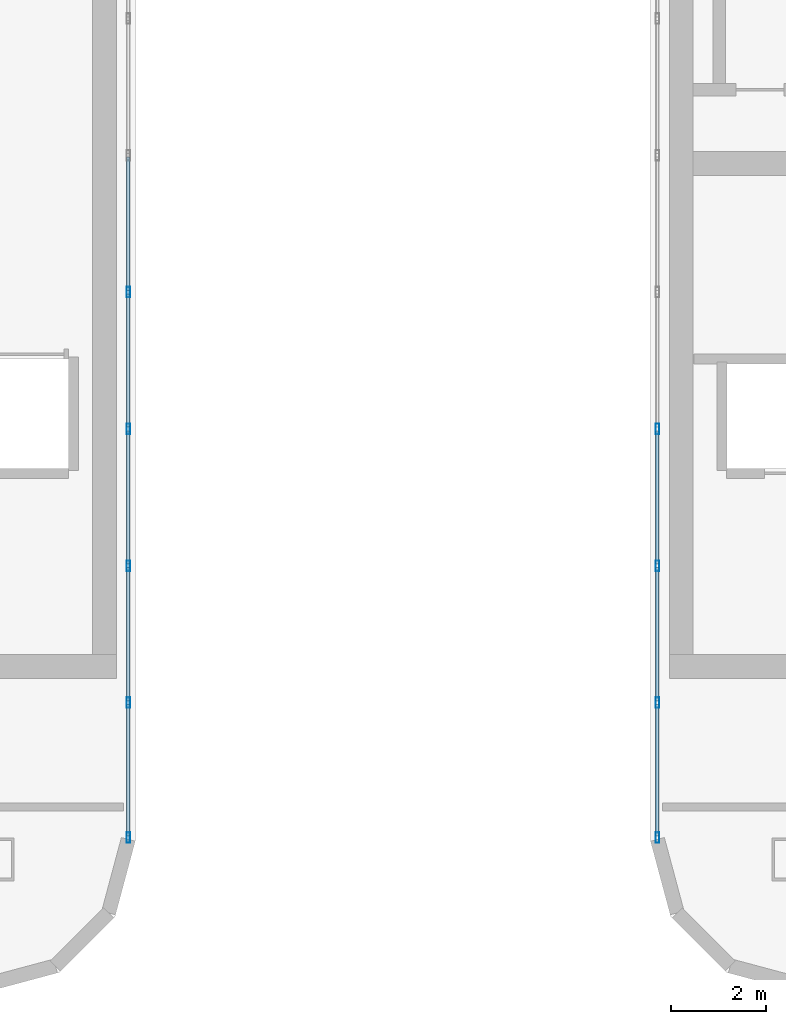
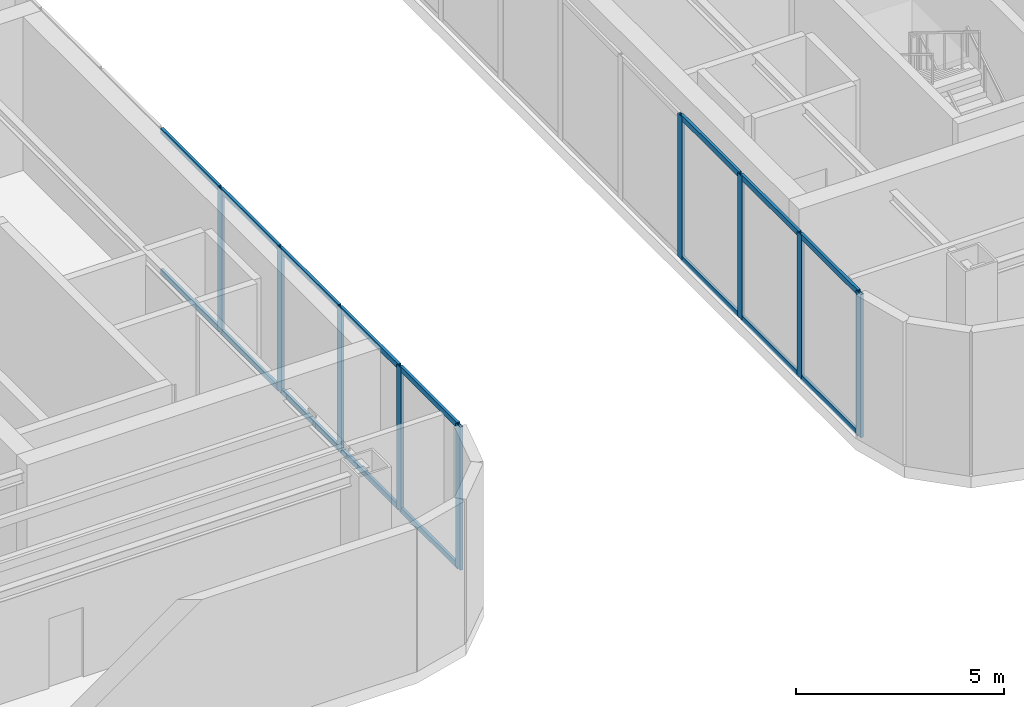
# One storey, part 2 of 13: 25 members, 2 elements without a shape of their own.
"""IFC4 building model written with IfcOpenShell, lengths in metres."""

from ifc_helpers import new_model, si_unit, direction, frame, origin, origin_2d, place, context, subcontext, project, spatial, hollow_rectangle, extrude, material, layer, layer_set, material_profile, profile_set, type_object, element, aggregate, save


model = new_model("IFC4")

# Units and contexts
model_context = context("Model", 3, precision=1e-05, world=origin(), true_north=direction((0.0, 1.0)))
body_context = subcontext(model_context, "Body", "Model", "MODEL_VIEW")
ifc_project = project(units=[si_unit("LENGTHUNIT", "METRE"), si_unit("AREAUNIT", "SQUARE_METRE"), si_unit("VOLUMEUNIT", "CUBIC_METRE"), si_unit("PLANEANGLEUNIT", "RADIAN"), si_unit("MASSUNIT", "GRAM", prefix="KILO")], contexts=[model_context])

# Site, building, storey
site_placement = place(None, origin())
site = spatial("IfcSite", under=ifc_project, at=site_placement, CompositionType="ELEMENT")
building_placement = place(site_placement, origin())
building = spatial("IfcBuilding", under=site, at=building_placement, Name="Kiyonajd Concourse Tower", CompositionType="ELEMENT")
storey_placement = place(building_placement, frame((0.0, 0.0, 363.89990234375)))
storey = spatial("IfcBuildingStorey", under=building, at=storey_placement, Name="L91", CompositionType="ELEMENT", Elevation=363.89990234375)

# Curtain wall, members
ifc_material = material(Name="Thermally Broken Anodised Aluminium", Category="aluminium")
ifc_layer = layer(ifc_material, 0.179931640625)
ifc_layer_set = layer_set([ifc_layer], Name="Thermally Broken Anodised Aluminium")
curtain_wall_type = type_object("IfcCurtainWallType", Name="CW-SYS-06", PredefinedType="NOTDEFINED", material=ifc_layer_set)
curtain_wall_1_placement = place(storey_placement, origin())
curtain_wall_1 = element("IfcCurtainWall", 1, at=curtain_wall_1_placement, inside=storey, type_object=curtain_wall_type, Name="L91 Unitised Curtain Wall CW6", PredefinedType="NOTDEFINED")
ifc_material_profile_1 = material_profile(ifc_material, hollow_rectangle(XDim=0.074951171875, YDim=0.219970703125, WallThickness=0.0048828125, at=origin_2d()), Name="MULL-75x220")
ifc_profile_set_1 = profile_set([ifc_material_profile_1], Name="Thermally Broken Anodised Aluminium")
member_type_1 = type_object("IfcMemberType", Name="MB-CW-MULL2", PredefinedType="MULLION", material=ifc_profile_set_1)
member_1_placement = place(storey_placement, frame((42.449951171875, 35.699951171875, 0.0), z_axis=(0.0, 0.0, 1.0), x_axis=(1.0, 0.0, 0.0)))
member_1 = element("IfcMember", 2, at=member_1_placement, type_object=member_type_1, Name="CW6 mullion 5", PredefinedType="MULLION", context=body_context, shape_type="SweptSolid", body=[
    extrude(hollow_rectangle(XDim=0.074951171875, YDim=0.219970703125, WallThickness=0.0048828125, at=origin_2d()), origin(), (0.0, 0.0, 1.0), 4.2001953125),
])
member_2_placement = place(storey_placement, frame((42.449951171875, 32.829833984375, 0.0), z_axis=(0.0, 0.0, 1.0), x_axis=(1.0, 0.0, 0.0)))
member_2 = element("IfcMember", 3, at=member_2_placement, type_object=member_type_1, Name="CW6 mullion 6", PredefinedType="MULLION", context=body_context, shape_type="SweptSolid", body=[
    extrude(hollow_rectangle(XDim=0.074951171875, YDim=0.219970703125, WallThickness=0.0048828125, at=origin_2d()), origin(), (0.0, 0.0, 1.0), 4.2001953125),
])
member_3_placement = place(storey_placement, frame((42.449951171875, 29.9599609375, 0.0), z_axis=(0.0, 0.0, 1.0), x_axis=(1.0, 0.0, 0.0)))
member_3 = element("IfcMember", 4, at=member_3_placement, type_object=member_type_1, Name="CW6 mullion 7", PredefinedType="MULLION", context=body_context, shape_type="SweptSolid", body=[
    extrude(hollow_rectangle(XDim=0.074951171875, YDim=0.219970703125, WallThickness=0.0048828125, at=origin_2d()), origin(), (0.0, 0.0, 1.0), 4.2001953125),
])
member_4_placement = place(storey_placement, frame((42.449951171875, 27.08984375, 0.0), z_axis=(0.0, 0.0, 1.0), x_axis=(1.0, 0.0, 0.0)))
member_4 = element("IfcMember", 5, at=member_4_placement, type_object=member_type_1, Name="CW6 mullion 8", PredefinedType="MULLION", context=body_context, shape_type="SweptSolid", body=[
    extrude(hollow_rectangle(XDim=0.074951171875, YDim=0.219970703125, WallThickness=0.0048828125, at=origin_2d()), origin(), (0.0, 0.0, 1.0), 4.2001953125),
])
member_5_placement = place(storey_placement, frame((42.449951171875, 24.25732421875, 0.0), z_axis=(0.0, 0.0, 1.0), x_axis=(1.0, 0.0, 0.0)))
member_5 = element("IfcMember", 6, at=member_5_placement, type_object=member_type_1, Name="CW6 mullion 9", PredefinedType="MULLION", context=body_context, shape_type="SweptSolid", body=[
    extrude(hollow_rectangle(XDim=0.074951171875, YDim=0.219970703125, WallThickness=0.0048828125, at=origin_2d()), origin(), (0.0, 0.0, 1.0), 4.2001953125),
])

curtain_wall_2_placement = place(storey_placement, origin())
curtain_wall_2 = element("IfcCurtainWall", 7, at=curtain_wall_2_placement, inside=storey, type_object=curtain_wall_type, Name="L91 Unitised Curtain Wall CW6", PredefinedType="NOTDEFINED")
member_6_placement = place(storey_placement, frame((53.550048828125, 24.25732421875, 0.0), z_axis=(0.0, 0.0, 1.0), x_axis=(-1.0, 0.0, 0.0)))
member_6 = element("IfcMember", 8, at=member_6_placement, type_object=member_type_1, Name="CW6 mullion 1", PredefinedType="MULLION", context=body_context, shape_type="SweptSolid", body=[
    extrude(hollow_rectangle(XDim=0.074951171875, YDim=0.219970703125, WallThickness=0.0048828125, at=origin_2d()), origin(), (0.0, 0.0, 1.0), 4.2001953125),
])
member_7_placement = place(storey_placement, frame((53.550048828125, 27.08984375, 0.0), z_axis=(0.0, 0.0, 1.0), x_axis=(-1.0, 0.0, 0.0)))
member_7 = element("IfcMember", 9, at=member_7_placement, type_object=member_type_1, Name="CW6 mullion 2", PredefinedType="MULLION", context=body_context, shape_type="SweptSolid", body=[
    extrude(hollow_rectangle(XDim=0.074951171875, YDim=0.219970703125, WallThickness=0.0048828125, at=origin_2d()), origin(), (0.0, 0.0, 1.0), 4.2001953125),
])
member_8_placement = place(storey_placement, frame((53.550048828125, 29.9599609375, 0.0), z_axis=(0.0, 0.0, 1.0), x_axis=(-1.0, 0.0, 0.0)))
member_8 = element("IfcMember", 10, at=member_8_placement, type_object=member_type_1, Name="CW6 mullion 3", PredefinedType="MULLION", context=body_context, shape_type="SweptSolid", body=[
    extrude(hollow_rectangle(XDim=0.074951171875, YDim=0.219970703125, WallThickness=0.0048828125, at=origin_2d()), origin(), (0.0, 0.0, 1.0), 4.2001953125),
])
member_9_placement = place(storey_placement, frame((53.550048828125, 32.829833984375, 0.0), z_axis=(0.0, 0.0, 1.0), x_axis=(-1.0, 0.0, 0.0)))
member_9 = element("IfcMember", 11, at=member_9_placement, type_object=member_type_1, Name="CW6 mullion 4", PredefinedType="MULLION", context=body_context, shape_type="SweptSolid", body=[
    extrude(hollow_rectangle(XDim=0.074951171875, YDim=0.219970703125, WallThickness=0.0048828125, at=origin_2d()), origin(), (0.0, 0.0, 1.0), 4.2001953125),
])

# Member
ifc_material_profile_2 = material_profile(ifc_material, hollow_rectangle(XDim=0.074951171875, YDim=0.159912109375, WallThickness=0.0048828125, at=origin_2d()), Name="TRAN-75x160")
ifc_profile_set_2 = profile_set([ifc_material_profile_2], Name="Thermally Broken Anodised Aluminium")
member_type_2 = type_object("IfcMemberType", Name="MB-CW-TRAN2", PredefinedType="USERDEFINED", material=ifc_profile_set_2)
member_10_placement = place(storey_placement, frame((42.449951171875, 38.532470703125, 0.03759765625), z_axis=(0.0, -1.0, 0.0), x_axis=(1.0, 0.0, 0.0)))
member_10 = element("IfcMember", 12, at=member_10_placement, type_object=member_type_2, Name="CW6 transom 4.1", ObjectType="TRANSOM", PredefinedType="USERDEFINED", context=body_context, shape_type="SweptSolid", body=[
    extrude(hollow_rectangle(XDim=0.074951171875, YDim=0.159912109375, WallThickness=0.0048828125, at=origin_2d()), origin(), (0.0, 0.0, 1.0), 2.794921875),
])

member_11_placement = place(storey_placement, frame((42.449951171875, 38.532470703125, 4.16259765625), z_axis=(0.0, -1.0, 0.0), x_axis=(1.0, 0.0, 0.0)))
member_11 = element("IfcMember", 13, at=member_11_placement, type_object=member_type_2, Name="CW6 transom 4.2", ObjectType="TRANSOM", PredefinedType="USERDEFINED", context=body_context, shape_type="SweptSolid", body=[
    extrude(hollow_rectangle(XDim=0.074951171875, YDim=0.159912109375, WallThickness=0.0048828125, at=origin_2d()), origin(), (0.0, 0.0, 1.0), 2.794921875),
])

member_12_placement = place(storey_placement, frame((42.449951171875, 35.66259765625, 0.03759765625), z_axis=(0.0, -1.0, 0.0), x_axis=(1.0, 0.0, 0.0)))
member_12 = element("IfcMember", 14, at=member_12_placement, type_object=member_type_2, Name="CW6 transom 5.1", ObjectType="TRANSOM", PredefinedType="USERDEFINED", context=body_context, shape_type="SweptSolid", body=[
    extrude(hollow_rectangle(XDim=0.074951171875, YDim=0.159912109375, WallThickness=0.0048828125, at=origin_2d()), origin(), (0.0, 0.0, 1.0), 2.795166015625),
])

member_13_placement = place(storey_placement, frame((42.449951171875, 35.66259765625, 4.16259765625), z_axis=(0.0, -1.0, 0.0), x_axis=(1.0, 0.0, 0.0)))
member_13 = element("IfcMember", 15, at=member_13_placement, type_object=member_type_2, Name="CW6 transom 5.2", ObjectType="TRANSOM", PredefinedType="USERDEFINED", context=body_context, shape_type="SweptSolid", body=[
    extrude(hollow_rectangle(XDim=0.074951171875, YDim=0.159912109375, WallThickness=0.0048828125, at=origin_2d()), origin(), (0.0, 0.0, 1.0), 2.795166015625),
])

member_14_placement = place(storey_placement, frame((42.449951171875, 32.79248046875, 0.03759765625), z_axis=(0.0, -1.0, 0.0), x_axis=(1.0, 0.0, 0.0)))
member_14 = element("IfcMember", 16, at=member_14_placement, type_object=member_type_2, Name="CW6 transom 6.1", ObjectType="TRANSOM", PredefinedType="USERDEFINED", context=body_context, shape_type="SweptSolid", body=[
    extrude(hollow_rectangle(XDim=0.074951171875, YDim=0.159912109375, WallThickness=0.0048828125, at=origin_2d()), origin(), (0.0, 0.0, 1.0), 2.795166015625),
])

member_15_placement = place(storey_placement, frame((42.449951171875, 32.79248046875, 4.16259765625), z_axis=(0.0, -1.0, 0.0), x_axis=(1.0, 0.0, 0.0)))
member_15 = element("IfcMember", 17, at=member_15_placement, type_object=member_type_2, Name="CW6 transom 6.2", ObjectType="TRANSOM", PredefinedType="USERDEFINED", context=body_context, shape_type="SweptSolid", body=[
    extrude(hollow_rectangle(XDim=0.074951171875, YDim=0.159912109375, WallThickness=0.0048828125, at=origin_2d()), origin(), (0.0, 0.0, 1.0), 2.795166015625),
])

member_16_placement = place(storey_placement, frame((42.449951171875, 29.92236328125, 0.03759765625), z_axis=(0.0, -1.0, 0.0), x_axis=(1.0, 0.0, 0.0)))
member_16 = element("IfcMember", 18, at=member_16_placement, type_object=member_type_2, Name="CW6 transom 7.1", ObjectType="TRANSOM", PredefinedType="USERDEFINED", context=body_context, shape_type="SweptSolid", body=[
    extrude(hollow_rectangle(XDim=0.074951171875, YDim=0.159912109375, WallThickness=0.0048828125, at=origin_2d()), origin(), (0.0, 0.0, 1.0), 2.794921875),
])

member_17_placement = place(storey_placement, frame((42.449951171875, 29.92236328125, 4.16259765625), z_axis=(0.0, -1.0, 0.0), x_axis=(1.0, 0.0, 0.0)))
member_17 = element("IfcMember", 19, at=member_17_placement, type_object=member_type_2, Name="CW6 transom 7.2", ObjectType="TRANSOM", PredefinedType="USERDEFINED", context=body_context, shape_type="SweptSolid", body=[
    extrude(hollow_rectangle(XDim=0.074951171875, YDim=0.159912109375, WallThickness=0.0048828125, at=origin_2d()), origin(), (0.0, 0.0, 1.0), 2.794921875),
])

member_18_placement = place(storey_placement, frame((42.449951171875, 27.05224609375, 0.03759765625), z_axis=(0.0, -1.0, 0.0), x_axis=(1.0, 0.0, 0.0)))
member_18 = element("IfcMember", 20, at=member_18_placement, type_object=member_type_2, Name="CW6 transom 8.1", ObjectType="TRANSOM", PredefinedType="USERDEFINED", context=body_context, shape_type="SweptSolid", body=[
    extrude(hollow_rectangle(XDim=0.074951171875, YDim=0.159912109375, WallThickness=0.0048828125, at=origin_2d()), origin(), (0.0, 0.0, 1.0), 2.75732421875),
])

member_19_placement = place(storey_placement, frame((42.449951171875, 27.05224609375, 4.16259765625), z_axis=(0.0, -1.0, 0.0), x_axis=(1.0, 0.0, 0.0)))
member_19 = element("IfcMember", 21, at=member_19_placement, type_object=member_type_2, Name="CW6 transom 8.2", ObjectType="TRANSOM", PredefinedType="USERDEFINED", context=body_context, shape_type="SweptSolid", body=[
    extrude(hollow_rectangle(XDim=0.074951171875, YDim=0.159912109375, WallThickness=0.0048828125, at=origin_2d()), origin(), (0.0, 0.0, 1.0), 2.75732421875),
])

aggregate(curtain_wall_1, [member_1, member_2, member_3, member_4, member_5, member_10, member_11, member_12, member_13, member_14, member_15, member_16, member_17, member_18, member_19])

member_20_placement = place(storey_placement, frame((53.550048828125, 24.294921875, 0.03759765625), z_axis=(0.0, 1.0, 0.0), x_axis=(-1.0, 0.0, 0.0)))
member_20 = element("IfcMember", 22, at=member_20_placement, type_object=member_type_2, Name="CW6 transom 1.1", ObjectType="TRANSOM", PredefinedType="USERDEFINED", context=body_context, shape_type="SweptSolid", body=[
    extrude(hollow_rectangle(XDim=0.074951171875, YDim=0.159912109375, WallThickness=0.0048828125, at=origin_2d()), origin(), (0.0, 0.0, 1.0), 2.75732421875),
])

member_21_placement = place(storey_placement, frame((53.550048828125, 24.294921875, 4.16259765625), z_axis=(0.0, 1.0, 0.0), x_axis=(-1.0, 0.0, 0.0)))
member_21 = element("IfcMember", 23, at=member_21_placement, type_object=member_type_2, Name="CW6 transom 1.2", ObjectType="TRANSOM", PredefinedType="USERDEFINED", context=body_context, shape_type="SweptSolid", body=[
    extrude(hollow_rectangle(XDim=0.074951171875, YDim=0.159912109375, WallThickness=0.0048828125, at=origin_2d()), origin(), (0.0, 0.0, 1.0), 2.75732421875),
])

member_22_placement = place(storey_placement, frame((53.550048828125, 27.12744140625, 0.03759765625), z_axis=(0.0, 1.0, 0.0), x_axis=(-1.0, 0.0, 0.0)))
member_22 = element("IfcMember", 24, at=member_22_placement, type_object=member_type_2, Name="CW6 transom 2.1", ObjectType="TRANSOM", PredefinedType="USERDEFINED", context=body_context, shape_type="SweptSolid", body=[
    extrude(hollow_rectangle(XDim=0.074951171875, YDim=0.159912109375, WallThickness=0.0048828125, at=origin_2d()), origin(), (0.0, 0.0, 1.0), 2.794921875),
])

member_23_placement = place(storey_placement, frame((53.550048828125, 27.12744140625, 4.16259765625), z_axis=(0.0, 1.0, 0.0), x_axis=(-1.0, 0.0, 0.0)))
member_23 = element("IfcMember", 25, at=member_23_placement, type_object=member_type_2, Name="CW6 transom 2.2", ObjectType="TRANSOM", PredefinedType="USERDEFINED", context=body_context, shape_type="SweptSolid", body=[
    extrude(hollow_rectangle(XDim=0.074951171875, YDim=0.159912109375, WallThickness=0.0048828125, at=origin_2d()), origin(), (0.0, 0.0, 1.0), 2.794921875),
])

member_24_placement = place(storey_placement, frame((53.550048828125, 29.997314453125, 0.03759765625), z_axis=(0.0, 1.0, 0.0), x_axis=(-1.0, 0.0, 0.0)))
member_24 = element("IfcMember", 26, at=member_24_placement, type_object=member_type_2, Name="CW6 transom 3.1", ObjectType="TRANSOM", PredefinedType="USERDEFINED", context=body_context, shape_type="SweptSolid", body=[
    extrude(hollow_rectangle(XDim=0.074951171875, YDim=0.159912109375, WallThickness=0.0048828125, at=origin_2d()), origin(), (0.0, 0.0, 1.0), 2.795166015625),
])

member_25_placement = place(storey_placement, frame((53.550048828125, 29.997314453125, 4.16259765625), z_axis=(0.0, 1.0, 0.0), x_axis=(-1.0, 0.0, 0.0)))
member_25 = element("IfcMember", 27, at=member_25_placement, type_object=member_type_2, Name="CW6 transom 3.2", ObjectType="TRANSOM", PredefinedType="USERDEFINED", context=body_context, shape_type="SweptSolid", body=[
    extrude(hollow_rectangle(XDim=0.074951171875, YDim=0.159912109375, WallThickness=0.0048828125, at=origin_2d()), origin(), (0.0, 0.0, 1.0), 2.795166015625),
])

aggregate(curtain_wall_2, [member_6, member_7, member_8, member_9, member_20, member_21, member_22, member_23, member_24, member_25])

save(model, "model.ifc")
